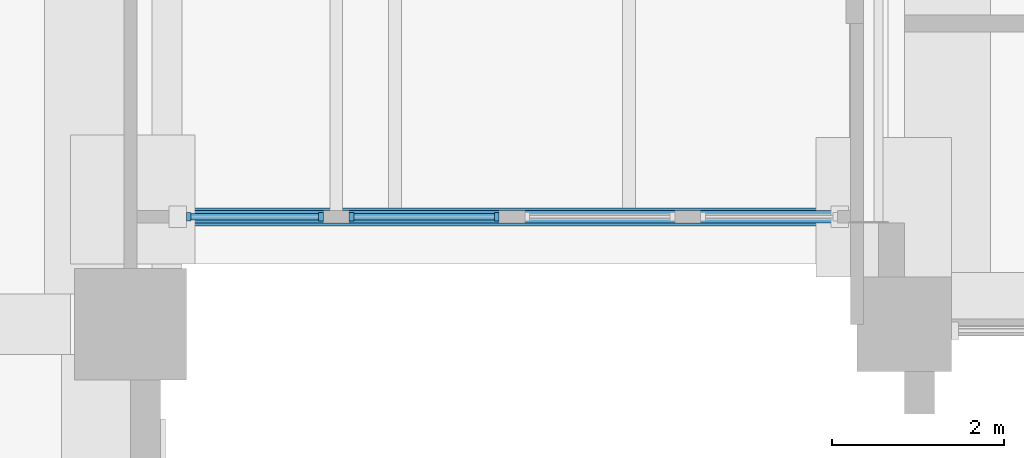
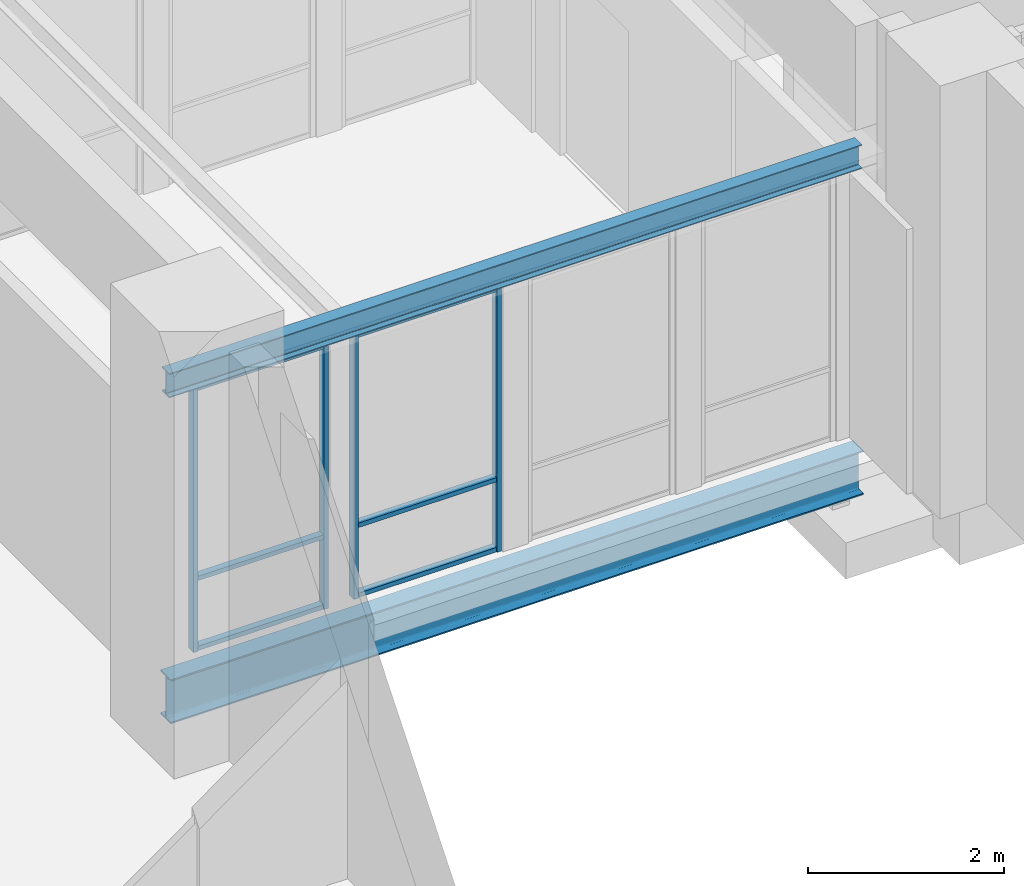
# One storey, part 2 of 52: 10 members, 2 beams, 2 elements without a shape of their own.
"""IFC4 building model written with IfcOpenShell, lengths in metres."""

import ifcopenshell
import ifcopenshell.guid

model = None  # the IFC model being written
_history = None  # IfcOwnerHistory: only IFC2X3 demands one
_inside = {}  # id of a spatial element -> (the spatial element, [elements in it])
_under = {}  # id of a project, library or spatial element -> (it, [spatial elements below it])
_declared = {}  # id of a project -> (the project, [libraries it declares])
_typed = {}  # id of a type object -> (the type object, [elements of that type])
_made_of = {}  # id of a material, layer set ... -> (it, [elements and type objects made of it])


def new_model(schema):
    """Start an empty IFC model of exactly this schema.

    Asked for "IFC4X3", IfcOpenShell would pick the latest addendum, in which some entities
    have other attributes; the version numbers below select the first issue.
    IFC2X3 requires an IfcOwnerHistory on every rooted entity: one is made here for all.
    """
    global model, _history
    if schema == "IFC4X3":
        model = ifcopenshell.file(schema_version=(4, 3, 0, 0))
    else:
        model = ifcopenshell.file(schema=schema)
    _inside.clear()
    _under.clear()
    _declared.clear()
    _typed.clear()
    _made_of.clear()
    _history = None
    if model.schema == "IFC2X3":
        org = make("IfcOrganization", Name="unknown")
        user = make(
            "IfcPersonAndOrganization",
            ThePerson=make("IfcPerson", FamilyName="unknown"),
            TheOrganization=org,
        )
        app = make(
            "IfcApplication",
            ApplicationDeveloper=org,
            Version="unknown",
            ApplicationFullName="unknown",
            ApplicationIdentifier="unknown",
        )
        _history = make(
            "IfcOwnerHistory",
            OwningUser=user,
            OwningApplication=app,
            ChangeAction="ADDED",
            CreationDate=0,
        )
    return model


def make(cls, **values):
    """One entity of the class cls with the attributes given. An attribute that is None is left unset."""
    return model.create_entity(
        cls, **{name: value for name, value in values.items() if value is not None}
    )


def rooted(cls, **values):
    """An entity with a GlobalId (a new one), such as an element, a storey or a relation."""
    return make(cls, GlobalId=ifcopenshell.guid.new(), OwnerHistory=_history, **values)


def si_unit(unit_type, name, prefix=None):
    """IfcSIUnit, for example si_unit("LENGTHUNIT", "METRE", prefix="MILLI")."""
    return make("IfcSIUnit", UnitType=unit_type, Prefix=prefix, Name=name)


def assignment(units):
    """IfcUnitAssignment: the units of a project."""
    return None if units is None else make("IfcUnitAssignment", Units=units)


def point(xyz):
    """IfcCartesianPoint."""
    return None if xyz is None else make("IfcCartesianPoint", Coordinates=xyz)


def direction(xyz):
    """IfcDirection."""
    return None if xyz is None else make("IfcDirection", DirectionRatios=xyz)


def frame(location, z_axis=None, x_axis=None):
    """IfcAxis2Placement3D, a coordinate frame: its origin and axes. An axis left out is left unset."""
    return make(
        "IfcAxis2Placement3D",
        Location=point(location),
        Axis=direction(z_axis),
        RefDirection=direction(x_axis),
    )


def frame_2d(location, x_axis=None):
    """IfcAxis2Placement2D, a coordinate frame in the plane: its origin and x axis."""
    return make(
        "IfcAxis2Placement2D", Location=point(location), RefDirection=direction(x_axis)
    )


def origin():
    """The frame at (0, 0, 0) with its axes left unset."""
    return frame((0.0, 0.0, 0.0))


def origin_2d():
    """The frame at (0, 0) in the plane with its x axis left unset."""
    return frame_2d((0.0, 0.0))


def place(relative_to, where):
    """IfcLocalPlacement: puts the frame where relative to a parent placement (None: the world)."""
    return make(
        "IfcLocalPlacement", PlacementRelTo=relative_to, RelativePlacement=where
    )


def context(
    kind, dimensions, precision=None, world=None, true_north=None, identifier=None
):
    """IfcGeometricRepresentationContext, for example the 3D "Model" context."""
    return make(
        "IfcGeometricRepresentationContext",
        ContextIdentifier=identifier,
        ContextType=kind,
        CoordinateSpaceDimension=dimensions,
        Precision=precision,
        WorldCoordinateSystem=world,
        TrueNorth=true_north,
    )


def subcontext(parent, identifier, kind, view, scale=None):
    """IfcGeometricRepresentationSubContext, for example "Body" below "Model"."""
    return make(
        "IfcGeometricRepresentationSubContext",
        ContextIdentifier=identifier,
        ContextType=kind,
        ParentContext=parent,
        TargetScale=scale,
        TargetView=view,
    )


def project(units=None, contexts=None):
    """IfcProject with its units and contexts."""
    return rooted(
        "IfcProject",
        Name="project",
        RepresentationContexts=contexts,
        UnitsInContext=assignment(units),
    )


def spatial(cls, under=None, at=None, **own):
    """A site, building, storey or space (cls), placed at a placement, below another one or the project."""
    s = rooted(cls, ObjectPlacement=at, **own)
    if under is not None:
        _under.setdefault(under.id(), (under, []))[1].append(s)
    return s


def profile(cls, at=None, kind="AREA", **sizes):
    """A parametric profile (cls). Its sizes go by their IFC names, for example OverallWidth=200.0."""
    return make(cls, ProfileType=kind, Position=at, **sizes)


def rectangle(**sizes):
    """IfcRectangleProfileDef."""
    return profile("IfcRectangleProfileDef", **sizes)


def i_section(**sizes):
    """IfcIShapeProfileDef."""
    return profile("IfcIShapeProfileDef", **sizes)


def extrude(swept, where, along, depth):
    """IfcExtrudedAreaSolid: the profile swept, set in the frame where, extruded along a direction by depth."""
    return make(
        "IfcExtrudedAreaSolid",
        SweptArea=swept,
        Position=where,
        ExtrudedDirection=direction(along),
        Depth=depth,
    )


def shape(context_of_items, identifier, shape_type, items):
    """IfcShapeRepresentation: the items that make up one representation, for example the "Body"."""
    return make(
        "IfcShapeRepresentation",
        ContextOfItems=context_of_items,
        RepresentationIdentifier=identifier,
        RepresentationType=shape_type,
        Items=items,
    )


def material(Name=None, Category=None):
    """IfcMaterial."""
    return make("IfcMaterial", Name=Name, Category=Category)


def layer(
    of_material, thickness, ventilated=None, Name=None, Category=None, Priority=None
):
    """IfcMaterialLayer: one layer of a wall or slab, of a material (None: an air gap)."""
    return make(
        "IfcMaterialLayer",
        Material=of_material,
        LayerThickness=thickness,
        IsVentilated=ventilated,
        Name=Name,
        Category=Category,
        Priority=Priority,
    )


def layer_set(layers, Name=None):
    """IfcMaterialLayerSet."""
    return make("IfcMaterialLayerSet", MaterialLayers=layers, LayerSetName=Name)


def material_profile(
    of_material, cross_section, Name=None, Category=None, Priority=None
):
    """IfcMaterialProfile: a cross section and its material."""
    return make(
        "IfcMaterialProfile",
        Name=Name,
        Material=of_material,
        Profile=cross_section,
        Priority=Priority,
        Category=Category,
    )


def profile_set(profiles, Name=None, composite=None):
    """IfcMaterialProfileSet."""
    return make(
        "IfcMaterialProfileSet",
        Name=Name,
        MaterialProfiles=profiles,
        CompositeProfile=composite,
    )


def made_of(thing, what):
    """Note that an element or type object is made of a material, layer set ...; save() writes the relation."""
    if what is not None:
        _made_of.setdefault(what.id(), (what, []))[1].append(thing)
    return thing


def type_object(cls, material=None, **own):
    """A type object (cls), such as IfcWallType, which elements share."""
    return made_of(rooted(cls, **own), material)


def element(
    cls,
    number,
    at=None,
    inside=None,
    cuts=None,
    type_object=None,
    material=None,
    context=None,
    identifier="Body",
    shape_type=None,
    held_by="IfcProductDefinitionShape",
    body=None,
    shapes=None,
    **own,
):
    """One element of the class cls, such as IfcWall. Its Tag is "e" and its number.

    at: its placement. inside: the storey or other place that contains it. cuts: it is an
    opening in that element (IfcRelVoidsElement). A single representation is given by context,
    identifier, shape_type and body (its items); several are given by shapes. held_by: the class
    of the entity that holds the representations. save() writes the other relations.
    """
    e = rooted(cls, Tag="e%d" % number, ObjectPlacement=at, **own)
    if body is not None:
        shapes = [shape(context, identifier, shape_type, body)]
    if shapes is not None:
        e.Representation = make(held_by, Representations=shapes)
    if inside is not None:
        _inside.setdefault(inside.id(), (inside, []))[1].append(e)
    if cuts is not None:
        rooted(
            "IfcRelVoidsElement", RelatingBuildingElement=cuts, RelatedOpeningElement=e
        )
    if type_object is not None:
        _typed.setdefault(type_object.id(), (type_object, []))[1].append(e)
    return made_of(e, material)


def aggregate(whole, parts):
    """IfcRelAggregates: a whole, such as a stair, and the parts it consists of."""
    return rooted("IfcRelAggregates", RelatingObject=whole, RelatedObjects=parts)


def save(model, path):
    """Write the relations noted so far, then the file.

    IfcRelAggregates (storeys below a building ...), IfcRelContainedInSpatialStructure (elements
    in a storey), IfcRelDefinesByType, IfcRelAssociatesMaterial and IfcRelDeclares: one each for
    every whole, place, type object, material and project.
    """
    for whole, parts in _under.values():
        aggregate(whole, parts)
    for where, things in _inside.values():
        rooted(
            "IfcRelContainedInSpatialStructure",
            RelatedElements=things,
            RelatingStructure=where,
        )
    for kind, things in _typed.values():
        rooted("IfcRelDefinesByType", RelatedObjects=things, RelatingType=kind)
    for what, things in _made_of.values():
        rooted("IfcRelAssociatesMaterial", RelatedObjects=things, RelatingMaterial=what)
    for by, libraries in _declared.values():
        rooted("IfcRelDeclares", RelatingContext=by, RelatedDefinitions=libraries)
    model.write(path)


model = new_model("IFC4")

# Units and contexts
model_context = context("Model", 3, precision=1e-05, world=origin(), true_north=direction((0.0, 1.0)))
body_context = subcontext(model_context, "Body", "Model", "MODEL_VIEW")
ifc_project = project(units=[si_unit("LENGTHUNIT", "METRE"), si_unit("AREAUNIT", "SQUARE_METRE"), si_unit("VOLUMEUNIT", "CUBIC_METRE"), si_unit("PLANEANGLEUNIT", "RADIAN"), si_unit("MASSUNIT", "GRAM", prefix="KILO")], contexts=[model_context])

# Site, building, storey
site_placement = place(None, origin())
site = spatial("IfcSite", under=ifc_project, at=site_placement, CompositionType="ELEMENT")
building_placement = place(site_placement, origin())
building = spatial("IfcBuilding", under=site, at=building_placement, Name="Aurelan Courthouse", CompositionType="ELEMENT")
storey_placement = place(building_placement, frame((0.0, 0.0, 6.60009765625)))
storey = spatial("IfcBuildingStorey", under=building, at=storey_placement, Name="L01", CompositionType="ELEMENT", Elevation=6.60009765625)

# Beams
ifc_material_1 = material(Name="Steel S355", Category="steel")
ifc_material_profile_1 = material_profile(ifc_material_1, i_section(OverallWidth=0.2099609375, OverallDepth=0.550048828125, WebThickness=0.010986328125, FlangeThickness=0.01708984375, FilletRadius=0.02392578125, at=origin_2d()), Name="IPE 550")
ifc_profile_set_1 = profile_set([ifc_material_profile_1], Name="Steel S355")
beam_type_1 = type_object("IfcBeamType", Name="Bridge girder IPE 550", PredefinedType="BEAM", material=ifc_profile_set_1)
beam_1_placement = place(storey_placement, frame((27.35009765625, 13.25, -0.47509765625), z_axis=(1.0, 0.0, 0.0), x_axis=(0.0, 1.0, 0.0)))
element("IfcBeam", 1, at=beam_1_placement, inside=storey, type_object=beam_type_1, Name="Bridge girder BG-1", PredefinedType="BEAM", context=body_context, shape_type="SweptSolid", body=[
    extrude(i_section(OverallWidth=0.2099609375, OverallDepth=0.550048828125, WebThickness=0.010986328125, FlangeThickness=0.01708984375, FilletRadius=0.02392578125, at=origin_2d()), origin(), (0.0, 0.0, 1.0), 8.1748046875),
])
ifc_material_profile_2 = material_profile(ifc_material_1, i_section(OverallWidth=0.14990234375, OverallDepth=0.300048828125, WebThickness=0.007080078125, FlangeThickness=0.0107421875, FilletRadius=0.014892578125, at=origin_2d()), Name="IPE 300")
ifc_profile_set_2 = profile_set([ifc_material_profile_2], Name="Steel S355")
beam_type_2 = type_object("IfcBeamType", Name="Passage edge beam IPE 300", PredefinedType="BEAM", material=ifc_profile_set_2)
beam_2_placement = place(storey_placement, frame((27.35009765625, 13.25, 3.449951171875), z_axis=(1.0, 0.0, 0.0), x_axis=(0.0, 1.0, 0.0)))
element("IfcBeam", 2, at=beam_2_placement, inside=storey, type_object=beam_type_2, Name="Passage edge beam BR1-BA", PredefinedType="BEAM", context=body_context, shape_type="SweptSolid", body=[
    extrude(i_section(OverallWidth=0.14990234375, OverallDepth=0.300048828125, WebThickness=0.007080078125, FlangeThickness=0.0107421875, FilletRadius=0.014892578125, at=origin_2d()), origin(), (0.0, 0.0, 1.0), 8.1748046875),
])

# Curtain wall, members
ifc_material_2 = material(Name="Bronze-finished aluminium and glass", Category="aluminium")
ifc_layer_1 = layer(ifc_material_2, 0.1201171875)
ifc_layer_set_1 = layer_set([ifc_layer_1], Name="Bronze-finished aluminium and glass")
curtain_wall_type_1 = type_object("IfcCurtainWallType", Name="Passage glazing 1594 x 3300", PredefinedType="NOTDEFINED", material=ifc_layer_set_1)
curtain_wall_1_placement = place(storey_placement, origin())
curtain_wall_1 = element("IfcCurtainWall", 3, at=curtain_wall_1_placement, inside=storey, type_object=curtain_wall_type_1, Name="Curtain wall CW-L01-BR101", PredefinedType="NOTDEFINED")
ifc_material_3 = material(Name="Bronze-finished aluminium", Category="aluminium")
ifc_material_profile_3 = material_profile(ifc_material_3, rectangle(XDim=0.10009765625, YDim=0.054931640625, at=origin_2d()), Name="Passage glazing mullion 55 x 100")
ifc_profile_set_3 = profile_set([ifc_material_profile_3], Name="Bronze-finished aluminium")
member_type_1 = type_object("IfcMemberType", Name="Passage glazing mullion 55 x 100", PredefinedType="MULLION", material=ifc_profile_set_3)
member_1_placement = place(storey_placement, frame((27.677490234375, 13.25, 0.0), z_axis=(0.0, 0.0, 1.0), x_axis=(0.0, 1.0, 0.0)))
member_1 = element("IfcMember", 4, at=member_1_placement, type_object=member_type_1, Name="CW-L01-BR101 mullion 1", PredefinedType="MULLION", context=body_context, shape_type="SweptSolid", body=[
    extrude(rectangle(XDim=0.10009765625, YDim=0.054931640625, at=origin_2d()), origin(), (0.0, 0.0, 1.0), 3.2998046875),
])
member_2_placement = place(storey_placement, frame((29.21630859375, 13.25, 0.0), z_axis=(0.0, 0.0, 1.0), x_axis=(0.0, 1.0, 0.0)))
member_2 = element("IfcMember", 5, at=member_2_placement, type_object=member_type_1, Name="CW-L01-BR101 mullion 2", PredefinedType="MULLION", context=body_context, shape_type="SweptSolid", body=[
    extrude(rectangle(XDim=0.10009765625, YDim=0.054931640625, at=origin_2d()), origin(), (0.0, 0.0, 1.0), 3.2998046875),
])

ifc_layer_2 = layer(ifc_material_2, 0.1201171875)
ifc_layer_set_2 = layer_set([ifc_layer_2], Name="Bronze-finished aluminium and glass")
curtain_wall_type_2 = type_object("IfcCurtainWallType", Name="Passage glazing 1744 x 3300", PredefinedType="NOTDEFINED", material=ifc_layer_set_2)
curtain_wall_2_placement = place(storey_placement, origin())
curtain_wall_2 = element("IfcCurtainWall", 6, at=curtain_wall_2_placement, inside=storey, type_object=curtain_wall_type_2, Name="Curtain wall CW-L01-BR102", PredefinedType="NOTDEFINED")
member_3_placement = place(storey_placement, frame((29.5712890625, 13.25, 0.0), z_axis=(0.0, 0.0, 1.0), x_axis=(0.0, 1.0, 0.0)))
member_3 = element("IfcMember", 7, at=member_3_placement, type_object=member_type_1, Name="CW-L01-BR102 mullion 1", PredefinedType="MULLION", context=body_context, shape_type="SweptSolid", body=[
    extrude(rectangle(XDim=0.10009765625, YDim=0.054931640625, at=origin_2d()), origin(), (0.0, 0.0, 1.0), 3.2998046875),
])
member_4_placement = place(storey_placement, frame((31.260009765625, 13.25, 0.0), z_axis=(0.0, 0.0, 1.0), x_axis=(0.0, 1.0, 0.0)))
member_4 = element("IfcMember", 8, at=member_4_placement, type_object=member_type_1, Name="CW-L01-BR102 mullion 2", PredefinedType="MULLION", context=body_context, shape_type="SweptSolid", body=[
    extrude(rectangle(XDim=0.10009765625, YDim=0.054931640625, at=origin_2d()), origin(), (0.0, 0.0, 1.0), 3.2998046875),
])

# Member
ifc_material_profile_4 = material_profile(ifc_material_3, rectangle(XDim=0.080078125, YDim=0.054931640625, at=origin_2d()), Name="Passage glazing transom 55 x 80")
ifc_profile_set_4 = profile_set([ifc_material_profile_4], Name="Bronze-finished aluminium")
member_type_2 = type_object("IfcMemberType", Name="Passage glazing transom 55 x 80", PredefinedType="USERDEFINED", material=ifc_profile_set_4)
member_5_placement = place(storey_placement, frame((27.705078125, 13.25, 0.02734375), z_axis=(1.0, 0.0, 0.0), x_axis=(0.0, 1.0, 0.0)))
member_5 = element("IfcMember", 9, at=member_5_placement, type_object=member_type_2, Name="CW-L01-BR101 transom 1.1", ObjectType="TRANSOM", PredefinedType="USERDEFINED", context=body_context, shape_type="SweptSolid", body=[
    extrude(rectangle(XDim=0.080078125, YDim=0.054931640625, at=origin_2d()), origin(), (0.0, 0.0, 1.0), 1.483642578125),
])

member_6_placement = place(storey_placement, frame((27.705078125, 13.25, 0.89990234375), z_axis=(1.0, 0.0, 0.0), x_axis=(0.0, 1.0, 0.0)))
member_6 = element("IfcMember", 10, at=member_6_placement, type_object=member_type_2, Name="CW-L01-BR101 transom 1.2", ObjectType="TRANSOM", PredefinedType="USERDEFINED", context=body_context, shape_type="SweptSolid", body=[
    extrude(rectangle(XDim=0.080078125, YDim=0.054931640625, at=origin_2d()), origin(), (0.0, 0.0, 1.0), 1.483642578125),
])

member_7_placement = place(storey_placement, frame((27.705078125, 13.25, 3.2724609375), z_axis=(1.0, 0.0, 0.0), x_axis=(0.0, 1.0, 0.0)))
member_7 = element("IfcMember", 11, at=member_7_placement, type_object=member_type_2, Name="CW-L01-BR101 transom 1.3", ObjectType="TRANSOM", PredefinedType="USERDEFINED", context=body_context, shape_type="SweptSolid", body=[
    extrude(rectangle(XDim=0.080078125, YDim=0.054931640625, at=origin_2d()), origin(), (0.0, 0.0, 1.0), 1.483642578125),
])

aggregate(curtain_wall_1, [member_1, member_2, member_5, member_6, member_7])

member_8_placement = place(storey_placement, frame((29.5986328125, 13.25, 0.02734375), z_axis=(1.0, 0.0, 0.0), x_axis=(0.0, 1.0, 0.0)))
member_8 = element("IfcMember", 12, at=member_8_placement, type_object=member_type_2, Name="CW-L01-BR102 transom 1.1", ObjectType="TRANSOM", PredefinedType="USERDEFINED", context=body_context, shape_type="SweptSolid", body=[
    extrude(rectangle(XDim=0.080078125, YDim=0.054931640625, at=origin_2d()), origin(), (0.0, 0.0, 1.0), 1.6337890625),
])

member_9_placement = place(storey_placement, frame((29.5986328125, 13.25, 0.89990234375), z_axis=(1.0, 0.0, 0.0), x_axis=(0.0, 1.0, 0.0)))
member_9 = element("IfcMember", 13, at=member_9_placement, type_object=member_type_2, Name="CW-L01-BR102 transom 1.2", ObjectType="TRANSOM", PredefinedType="USERDEFINED", context=body_context, shape_type="SweptSolid", body=[
    extrude(rectangle(XDim=0.080078125, YDim=0.054931640625, at=origin_2d()), origin(), (0.0, 0.0, 1.0), 1.6337890625),
])

member_10_placement = place(storey_placement, frame((29.5986328125, 13.25, 3.2724609375), z_axis=(1.0, 0.0, 0.0), x_axis=(0.0, 1.0, 0.0)))
member_10 = element("IfcMember", 14, at=member_10_placement, type_object=member_type_2, Name="CW-L01-BR102 transom 1.3", ObjectType="TRANSOM", PredefinedType="USERDEFINED", context=body_context, shape_type="SweptSolid", body=[
    extrude(rectangle(XDim=0.080078125, YDim=0.054931640625, at=origin_2d()), origin(), (0.0, 0.0, 1.0), 1.6337890625),
])

aggregate(curtain_wall_2, [member_3, member_4, member_8, member_9, member_10])

save(model, "model.ifc")
